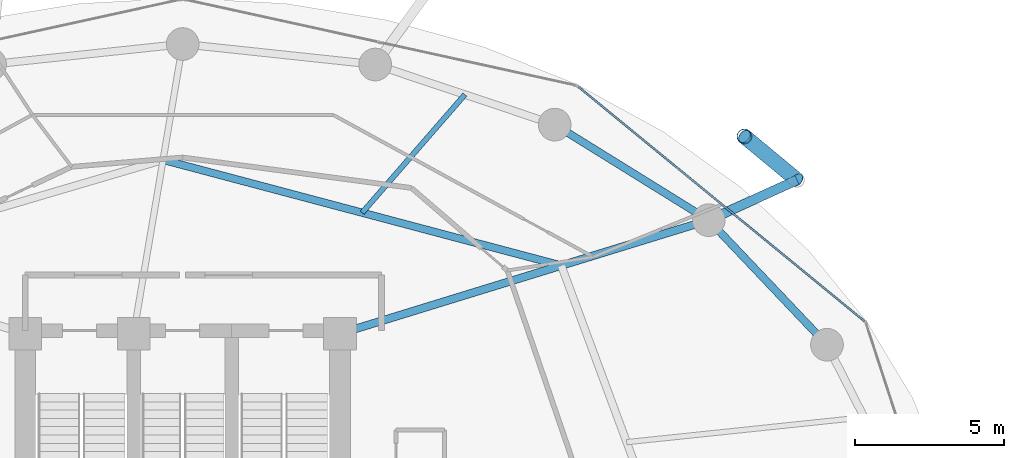
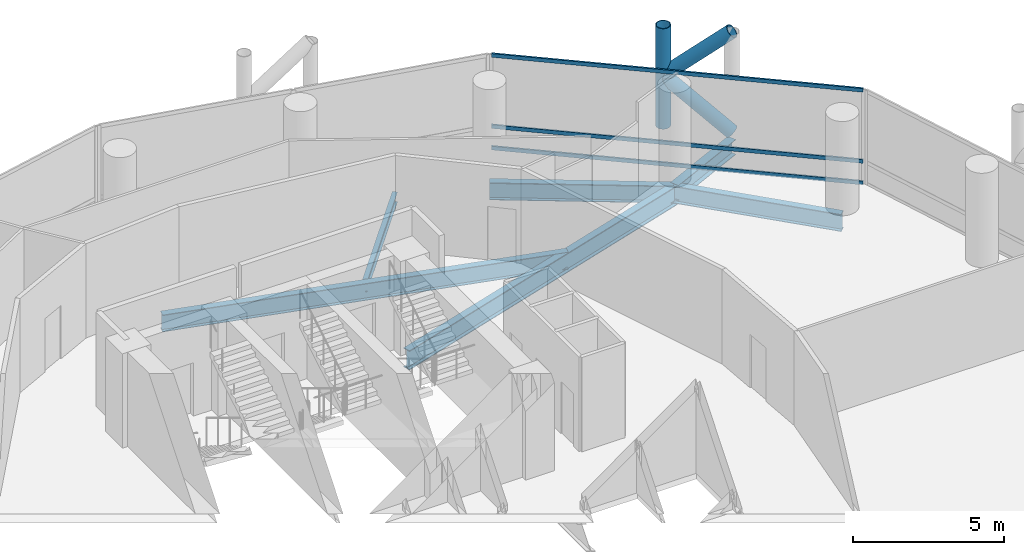
# One storey, part 17 of 25: 6 beams, 6 members, 1 element without a shape of its own.
"""IFC4 building model written with IfcOpenShell, lengths in metres."""

from ifc_helpers import new_model, si_unit, direction, frame, origin, origin_2d, place, context, subcontext, project, spatial, hollow_rectangle, hollow_circle, i_section, extrude, material, layer, layer_set, material_profile, profile_set, type_object, element, aggregate, save


model = new_model("IFC4")

# Units and contexts
model_context = context("Model", 3, precision=1e-05, world=origin(), true_north=direction((0.0, 1.0)))
body_context = subcontext(model_context, "Body", "Model", "MODEL_VIEW")
ifc_project = project(units=[si_unit("LENGTHUNIT", "METRE"), si_unit("AREAUNIT", "SQUARE_METRE"), si_unit("VOLUMEUNIT", "CUBIC_METRE"), si_unit("PLANEANGLEUNIT", "RADIAN"), si_unit("MASSUNIT", "GRAM", prefix="KILO")], contexts=[model_context])

# Site, building, storey
site_placement = place(None, origin())
site = spatial("IfcSite", under=ifc_project, at=site_placement, CompositionType="ELEMENT")
building_placement = place(site_placement, origin())
building = spatial("IfcBuilding", under=site, at=building_placement, Name="Nuhasar Tower", CompositionType="ELEMENT")
storey_placement = place(building_placement, frame((0.0, 0.0, 65.550048828125)))
storey = spatial("IfcBuildingStorey", under=building, at=storey_placement, Name="L15", CompositionType="ELEMENT", Elevation=65.550048828125)

# Beams
ifc_material_1 = material(Name="Steel S355", Category="steel")
ifc_material_profile_1 = material_profile(ifc_material_1, i_section(OverallWidth=0.25390625, OverallDepth=0.68408203125, WebThickness=0.012451171875, FlangeThickness=0.018798828125, at=origin_2d()), Name="W27X94")
ifc_profile_set_1 = profile_set([ifc_material_profile_1], Name="Steel S355")
beam_type_1 = type_object("IfcBeamType", Name="BM-INRING-W27X94", PredefinedType="BEAM", material=ifc_profile_set_1)
beam_1_placement = place(storey_placement, frame((51.748046875, 39.591064453125, -0.592041015625), z_axis=(-0.96653253005, 0.256544086574, 0.0), x_axis=(-0.256544086574, -0.96653253005, 0.0)))
element("IfcBeam", 1, at=beam_1_placement, inside=storey, type_object=beam_type_1, Name="L15 Inner Header Beam 05", PredefinedType="BEAM", context=body_context, shape_type="SweptSolid", body=[
    extrude(i_section(OverallWidth=0.25390625, OverallDepth=0.68408203125, WebThickness=0.012451171875, FlangeThickness=0.018798828125, at=origin_2d()), origin(), (0.0, 0.0, 1.0), 13.872314453125),
])
ifc_material_profile_2 = material_profile(ifc_material_1, i_section(OverallWidth=0.177978515625, OverallDepth=0.406005859375, WebThickness=0.0078125, FlangeThickness=0.0126953125, at=origin_2d()), Name="W16X40")
ifc_profile_set_2 = profile_set([ifc_material_profile_2], Name="Steel S355")
beam_type_2 = type_object("IfcBeamType", Name="BM-JST-W16X40", PredefinedType="JOIST", material=ifc_profile_set_2)
beam_2_placement = place(storey_placement, frame((45.0439453125, 41.3701171875, -0.453125), z_axis=(0.656174129694, 0.754609509296, 0.0), x_axis=(-0.754609509296, 0.656174129694, 0.0)))
element("IfcBeam", 2, at=beam_2_placement, inside=storey, type_object=beam_type_2, Name="L15 Secondary Floor Joist 05", PredefinedType="JOIST", context=body_context, shape_type="SweptSolid", body=[
    extrude(i_section(OverallWidth=0.177978515625, OverallDepth=0.406005859375, WebThickness=0.0078125, FlangeThickness=0.0126953125, at=origin_2d()), origin(), (0.0, 0.0, 1.0), 5.27294921875),
])
ifc_material_profile_3 = material_profile(ifc_material_1, i_section(OverallWidth=0.26611328125, OverallDepth=0.779052734375, WebThickness=0.0166015625, FlangeThickness=0.030029296875, at=origin_2d()), Name="W30X148")
ifc_profile_set_3 = profile_set([ifc_material_profile_3], Name="Steel S355")
beam_type_3 = type_object("IfcBeamType", Name="BM-RAD-W30X148", PredefinedType="BEAM", material=ifc_profile_set_3)
beam_3_placement = place(storey_placement, frame((44.300048828125, 37.300048828125, -0.64013671875), z_axis=(0.955789576103, 0.294051502653, 0.0), x_axis=(-0.294051502653, 0.955789576103, 0.0)))
element("IfcBeam", 3, at=beam_3_placement, inside=storey, type_object=beam_type_3, Name="L15 Radial Floor Girder 05", PredefinedType="BEAM", context=body_context, shape_type="SweptSolid", body=[
    extrude(i_section(OverallWidth=0.26611328125, OverallDepth=0.779052734375, WebThickness=0.0166015625, FlangeThickness=0.030029296875, at=origin_2d()), origin(), (0.0, 0.0, 1.0), 12.987060546875),
])
ifc_material_profile_4 = material_profile(ifc_material_1, i_section(OverallWidth=0.256103515625, OverallDepth=0.693115234375, WebThickness=0.014404296875, FlangeThickness=0.023681640625, at=origin_2d()), Name="W27X114")
ifc_profile_set_4 = profile_set([ifc_material_profile_4], Name="Steel S355")
beam_type_4 = type_object("IfcBeamType", Name="BM-RING-W27X114", PredefinedType="SPANDREL", material=ifc_profile_set_4)
beam_4_placement = place(storey_placement, frame((60.694091796875, 36.925048828125, -0.59716796875), z_axis=(-0.688480893507, 0.725254478976, 0.0), x_axis=(-0.725254478976, -0.688480893507, 0.0)))
element("IfcBeam", 4, at=beam_4_placement, inside=storey, type_object=beam_type_4, Name="L15 Perimeter Ring Spandrel 03", PredefinedType="SPANDREL", context=body_context, shape_type="SweptSolid", body=[
    extrude(i_section(OverallWidth=0.256103515625, OverallDepth=0.693115234375, WebThickness=0.014404296875, FlangeThickness=0.023681640625, at=origin_2d()), origin(), (0.0, 0.0, 1.0), 5.782470703125),
])
beam_5_placement = place(storey_placement, frame((56.712890625, 41.118896484375, -0.59716796875), z_axis=(-0.849795216549, 0.527112976439, 0.0), x_axis=(-0.527112976439, -0.849795216549, 0.0)))
element("IfcBeam", 5, at=beam_5_placement, inside=storey, type_object=beam_type_4, Name="L15 Perimeter Ring Spandrel 04", PredefinedType="SPANDREL", context=body_context, shape_type="SweptSolid", body=[
    extrude(i_section(OverallWidth=0.256103515625, OverallDepth=0.693115234375, WebThickness=0.014404296875, FlangeThickness=0.023681640625, at=origin_2d()), origin(), (0.0, 0.0, 1.0), 6.10498046875),
])
ifc_material_profile_5 = material_profile(ifc_material_1, i_section(OverallWidth=0.323974609375, OverallDepth=0.611083984375, WebThickness=0.0126953125, FlangeThickness=0.01904296875, at=origin_2d()), Name="W24X104")
ifc_profile_set_5 = profile_set([ifc_material_profile_5], Name="Steel S355")
beam_type_5 = type_object("IfcBeamType", Name="BM-TIE-W24X104", PredefinedType="BEAM", material=ifc_profile_set_5)
beam_6_placement = place(storey_placement, frame((56.712890625, 41.118896484375, -0.554931640625), z_axis=(0.910243528587, 0.414073325227, 0.0), x_axis=(-0.414073325227, 0.910243528587, 0.0)))
element("IfcBeam", 6, at=beam_6_placement, inside=storey, type_object=beam_type_5, Name="L15 Exoskeleton Node Tie Beam 02", PredefinedType="BEAM", context=body_context, shape_type="SweptSolid", body=[
    extrude(i_section(OverallWidth=0.323974609375, OverallDepth=0.611083984375, WebThickness=0.0126953125, FlangeThickness=0.01904296875, at=origin_2d()), origin(), (0.0, 0.0, 1.0), 3.26513671875),
])

# Curtain wall, members
ifc_material_2 = material(Name="Aluminium 6063-T6", Category="aluminium")
ifc_layer = layer(ifc_material_2, 0.199951171875)
ifc_layer_set = layer_set([ifc_layer], Name="Aluminium 6063-T6")
curtain_wall_type = type_object("IfcCurtainWallType", Name="CW-Z1-OFF", PredefinedType="NOTDEFINED", material=ifc_layer_set)
curtain_wall_placement = place(storey_placement, origin())
curtain_wall = element("IfcCurtainWall", 7, at=curtain_wall_placement, inside=storey, type_object=curtain_wall_type, Name="L15 Unitised Curtain Wall 02", PredefinedType="NOTDEFINED")
ifc_material_profile_6 = material_profile(ifc_material_2, hollow_rectangle(XDim=0.06494140625, YDim=0.14990234375, WallThickness=0.00439453125, at=origin_2d()), Name="CWT-2")
ifc_profile_set_6 = profile_set([ifc_material_profile_6], Name="Aluminium 6063-T6")
member_type_1 = type_object("IfcMemberType", Name="CW-TRN-S2", PredefinedType="USERDEFINED", material=ifc_profile_set_6)
member_1_placement = place(storey_placement, frame((61.95166015625, 37.72119140625, 0.032470703125), z_axis=(-0.773540851599, 0.633746440548, 0.0), x_axis=(-0.633746440548, -0.773540851599, 0.0)))
member_1 = element("IfcMember", 8, at=member_1_placement, type_object=member_type_1, Name="CW-Z1 transom 1.1", ObjectType="TRANSOM", PredefinedType="USERDEFINED", context=body_context, shape_type="SweptSolid", body=[
    extrude(hollow_rectangle(XDim=0.06494140625, YDim=0.14990234375, WallThickness=0.00439453125, at=origin_2d()), origin(), (0.0, 0.0, 1.0), 12.43798828125),
])
member_2_placement = place(storey_placement, frame((61.95166015625, 37.72119140625, 0.89990234375), z_axis=(-0.773540851599, 0.633746440548, 0.0), x_axis=(-0.633746440548, -0.773540851599, 0.0)))
member_2 = element("IfcMember", 9, at=member_2_placement, type_object=member_type_1, Name="CW-Z1 transom 1.2", ObjectType="TRANSOM", PredefinedType="USERDEFINED", context=body_context, shape_type="SweptSolid", body=[
    extrude(hollow_rectangle(XDim=0.06494140625, YDim=0.14990234375, WallThickness=0.00439453125, at=origin_2d()), origin(), (0.0, 0.0, 1.0), 12.43798828125),
])
member_3_placement = place(storey_placement, frame((61.95166015625, 37.72119140625, 3.767333984375), z_axis=(-0.773540851599, 0.633746440548, 0.0), x_axis=(-0.633746440548, -0.773540851599, 0.0)))
member_3 = element("IfcMember", 10, at=member_3_placement, type_object=member_type_1, Name="CW-Z1 transom 1.3", ObjectType="TRANSOM", PredefinedType="USERDEFINED", context=body_context, shape_type="SweptSolid", body=[
    extrude(hollow_rectangle(XDim=0.06494140625, YDim=0.14990234375, WallThickness=0.00439453125, at=origin_2d()), origin(), (0.0, 0.0, 1.0), 12.43798828125),
])
aggregate(curtain_wall, [member_1, member_2, member_3])

# Members
ifc_material_3 = material(Name="Steel S460", Category="steel")
ifc_material_profile_7 = material_profile(ifc_material_3, hollow_circle(Radius=0.25390625, WallThickness=0.025390625, at=origin_2d()), Name="HSS508X25.4")
ifc_profile_set_7 = profile_set([ifc_material_profile_7], Name="Steel S460")
member_type_2 = type_object("IfcMemberType", Name="EXO-BRONZE-508", PredefinedType="BRACE", material=ifc_profile_set_7)
member_4_placement = place(storey_placement, frame((57.9130859375, 43.93896484375, 0.0), z_axis=(0.0, 0.0, 1.0), x_axis=(1.0, 0.0, 0.0)))
element("IfcMember", 11, at=member_4_placement, inside=storey, type_object=member_type_2, Name="L15 Exoskeleton Chord Column EC-02B", PredefinedType="BRACE", context=body_context, shape_type="SweptSolid", body=[
    extrude(hollow_circle(Radius=0.25390625, WallThickness=0.025390625, at=origin_2d()), origin(), (0.0, 0.0, 1.0), 4.050048828125),
])
member_5_placement = place(storey_placement, frame((59.68505859375, 42.470947265625, 0.0), z_axis=(-0.578101613167, 0.478937034992, 0.660619286251), x_axis=(-0.637969333506, -0.770061769929, 0.0)))
element("IfcMember", 12, at=member_5_placement, inside=storey, type_object=member_type_2, Name="L15 Bronze Diagrid Brace W1-02", PredefinedType="BRACE", context=body_context, shape_type="SweptSolid", body=[
    extrude(hollow_circle(Radius=0.25390625, WallThickness=0.025390625, at=origin_2d()), origin(), (0.0, 0.0, 1.0), 3.065185546875),
])
member_6_placement = place(storey_placement, frame((57.9130859375, 43.93896484375, 2.02490234375), z_axis=(0.578071194894, -0.478911834514, 0.660664172175), x_axis=(0.637969333506, 0.770061769929, 0.0)))
element("IfcMember", 13, at=member_6_placement, inside=storey, type_object=member_type_2, Name="L15 Bronze Diagrid Brace W2-02", PredefinedType="BRACE", context=body_context, shape_type="SweptSolid", body=[
    extrude(hollow_circle(Radius=0.25390625, WallThickness=0.025390625, at=origin_2d()), origin(), (0.0, 0.0, 1.0), 3.0654296875),
])

save(model, "model.ifc")
